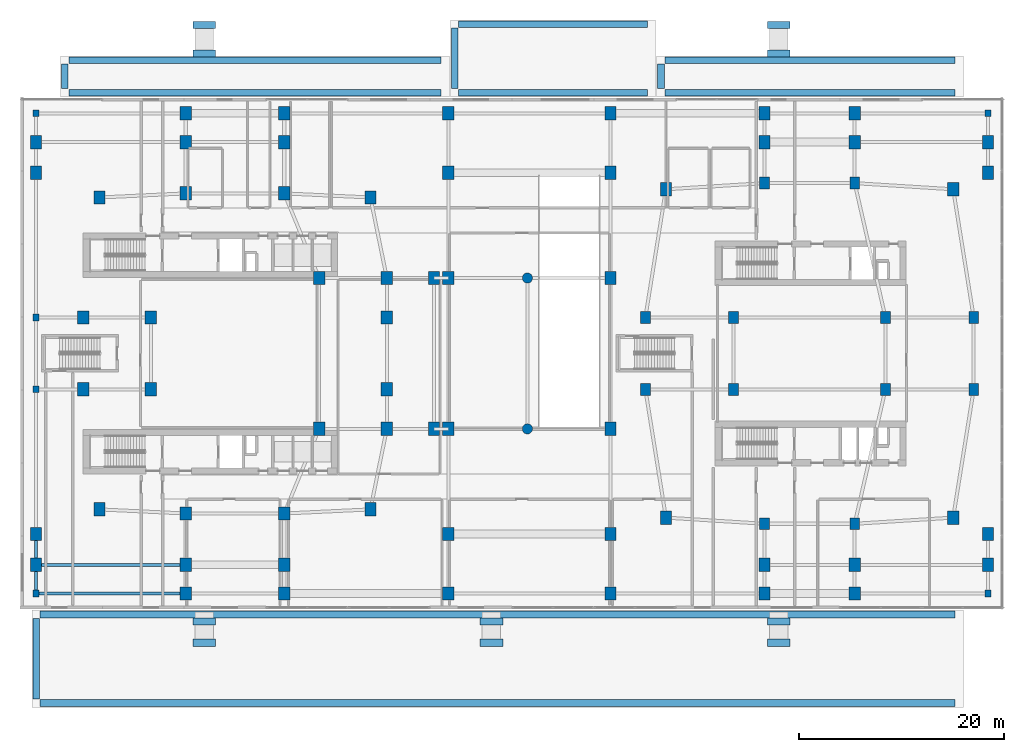
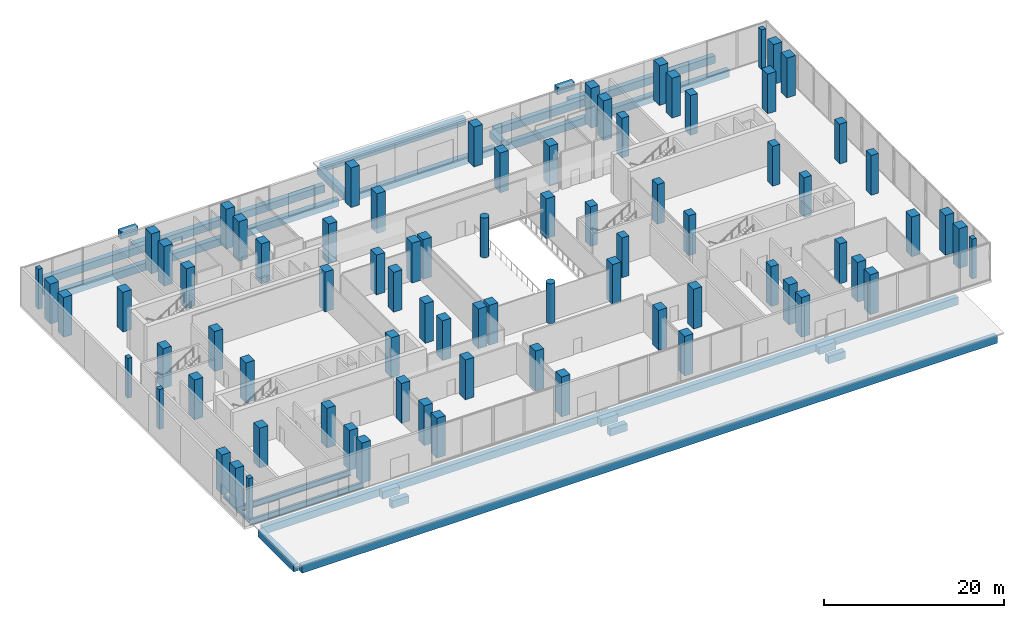
# One storey, part 1 of 24: 80 columns, 22 footings, 4 beams.
"""IFC4 building model written with IfcOpenShell, lengths in metres."""

from ifc_helpers import new_model, si_unit, derived_unit, direction, frame, origin, origin_2d, place, context, subcontext, project, spatial, polyline, rectangle, circle, i_section, outline, extrude, material, material_profile, profile_set, type_object, element, save


model = new_model("IFC4")

# Units and contexts
model_context = context("Model", 3, precision=1e-05, world=origin(), true_north=direction((0.0, 1.0)))
body_context = subcontext(model_context, "Body", "Model", "MODEL_VIEW")
ifc_project = project(units=[si_unit("LENGTHUNIT", "METRE"), si_unit("AREAUNIT", "SQUARE_METRE"), si_unit("VOLUMEUNIT", "CUBIC_METRE"), si_unit("PLANEANGLEUNIT", "RADIAN"), si_unit("MASSUNIT", "GRAM", prefix="KILO"), derived_unit("THERMALTRANSMITTANCEUNIT", [(si_unit("POWERUNIT", "WATT"), 1), (si_unit("LENGTHUNIT", "METRE"), -2), (si_unit("THERMODYNAMICTEMPERATUREUNIT", "KELVIN"), -1)])], contexts=[model_context])

# Site, building, storey
site_placement = place(None, origin())
site = spatial("IfcSite", under=ifc_project, at=site_placement, CompositionType="ELEMENT")
building_placement = place(site_placement, origin())
building = spatial("IfcBuilding", under=site, at=building_placement, Name="Kivonza Crest Hotel", CompositionType="ELEMENT")
storey_placement = place(building_placement, origin())
storey = spatial("IfcBuildingStorey", under=building, at=storey_placement, Name="L00", CompositionType="ELEMENT", Elevation=0.0)

# Footings
ifc_material_1 = material(Name="Concrete C40/50", Category="concrete")
footing_type = type_object("IfcFootingType", Name="FT-PAD-1200", PredefinedType="PAD_FOOTING", material=ifc_material_1)
footing_1_placement = place(storey_placement, frame((0.0, 0.0, -1.179931640625)))
element("IfcFooting", 1, at=footing_1_placement, inside=storey, type_object=footing_type, Name="Car park ramp and loading exterior driveway apron South kerb footing", PredefinedType="PAD_FOOTING", context=body_context, shape_type="SweptSolid", body=[
    extrude(outline(polyline([(42.800048828125, 50.10009765625), (61.199951171875, 50.10009765625), (61.199951171875, 50.75), (42.800048828125, 50.75), (42.800048828125, 50.10009765625)])), origin(), (0.0, 0.0, 1.0), 1.0),
])
footing_2_placement = place(storey_placement, frame((0.0, 0.0, -1.179931640625)))
element("IfcFooting", 2, at=footing_2_placement, inside=storey, type_object=footing_type, Name="Car park ramp and loading exterior driveway apron North kerb footing", PredefinedType="PAD_FOOTING", context=body_context, shape_type="SweptSolid", body=[
    extrude(outline(polyline([(42.800048828125, 56.75), (61.199951171875, 56.75), (61.199951171875, 57.39990234375), (42.800048828125, 57.39990234375), (42.800048828125, 56.75)])), origin(), (0.0, 0.0, 1.0), 1.0),
])
footing_3_placement = place(storey_placement, frame((0.0, 0.0, -1.179931640625)))
element("IfcFooting", 3, at=footing_3_placement, inside=storey, type_object=footing_type, Name="Car park ramp and loading exterior driveway apron West kerb footing", PredefinedType="PAD_FOOTING", context=body_context, shape_type="SweptSolid", body=[
    extrude(outline(polyline([(42.10009765625, 50.800048828125), (42.75, 50.800048828125), (42.75, 56.699951171875), (42.10009765625, 56.699951171875), (42.10009765625, 50.800048828125)])), origin(), (0.0, 0.0, 1.0), 1.0),
])
footing_4_placement = place(storey_placement, frame((0.0, 0.0, -1.179931640625)))
element("IfcFooting", 4, at=footing_4_placement, inside=storey, type_object=footing_type, Name="South street arrival forecourt and drop-off paving South kerb footing", PredefinedType="PAD_FOOTING", context=body_context, shape_type="SweptSolid", body=[
    extrude(outline(polyline([(2.0, -9.39990234375), (91.199951171875, -9.39990234375), (91.199951171875, -8.75), (2.0, -8.75), (2.0, -9.39990234375)])), origin(), (0.0, 0.0, 1.0), 1.0),
])
footing_5_placement = place(storey_placement, frame((0.0, 0.0, -1.179931640625)))
element("IfcFooting", 5, at=footing_5_placement, inside=storey, type_object=footing_type, Name="South street arrival forecourt and drop-off paving North kerb footing", PredefinedType="PAD_FOOTING", context=body_context, shape_type="SweptSolid", body=[
    extrude(outline(polyline([(2.0, -0.77001953125), (91.199951171875, -0.77001953125), (91.199951171875, -0.1201171875), (2.0, -0.1201171875), (2.0, -0.77001953125)])), origin(), (0.0, 0.0, 1.0), 1.0),
])
footing_6_placement = place(storey_placement, frame((0.0, 0.0, -1.179931640625)))
element("IfcFooting", 6, at=footing_6_placement, inside=storey, type_object=footing_type, Name="South street arrival forecourt and drop-off paving West kerb footing", PredefinedType="PAD_FOOTING", context=body_context, shape_type="SweptSolid", body=[
    extrude(outline(polyline([(1.300048828125, -8.699951171875), (1.949951171875, -8.699951171875), (1.949951171875, -0.820068359375), (1.300048828125, -0.820068359375), (1.300048828125, -8.699951171875)])), origin(), (0.0, 0.0, 1.0), 1.0),
])
footing_7_placement = place(storey_placement, frame((0.0, 0.0, -1.179931640625)))
element("IfcFooting", 7, at=footing_7_placement, inside=storey, type_object=footing_type, Name="North fire-appliance and exit discharge walkway South kerb footing", PredefinedType="PAD_FOOTING", context=body_context, shape_type="SweptSolid", body=[
    extrude(outline(polyline([(4.800048828125, 50.10009765625), (41.10009765625, 50.10009765625), (41.10009765625, 50.75), (4.800048828125, 50.75), (4.800048828125, 50.10009765625)])), origin(), (0.0, 0.0, 1.0), 1.0),
])
footing_8_placement = place(storey_placement, frame((0.0, 0.0, -1.179931640625)))
element("IfcFooting", 8, at=footing_8_placement, inside=storey, type_object=footing_type, Name="North fire-appliance and exit discharge walkway North kerb footing", PredefinedType="PAD_FOOTING", context=body_context, shape_type="SweptSolid", body=[
    extrude(outline(polyline([(4.800048828125, 53.25), (41.10009765625, 53.25), (41.10009765625, 53.89990234375), (4.800048828125, 53.89990234375), (4.800048828125, 53.25)])), origin(), (0.0, 0.0, 1.0), 1.0),
])
footing_9_placement = place(storey_placement, frame((0.0, 0.0, -1.179931640625)))
element("IfcFooting", 9, at=footing_9_placement, inside=storey, type_object=footing_type, Name="North fire-appliance and exit discharge walkway West kerb footing", PredefinedType="PAD_FOOTING", context=body_context, shape_type="SweptSolid", body=[
    extrude(outline(polyline([(4.10009765625, 50.800048828125), (4.75, 50.800048828125), (4.75, 53.199951171875), (4.10009765625, 53.199951171875), (4.10009765625, 50.800048828125)])), origin(), (0.0, 0.0, 1.0), 1.0),
])
footing_10_placement = place(storey_placement, frame((0.0, 0.0, -1.179931640625)))
element("IfcFooting", 10, at=footing_10_placement, inside=storey, type_object=footing_type, Name="North-East exit discharge walkway South kerb footing", PredefinedType="PAD_FOOTING", context=body_context, shape_type="SweptSolid", body=[
    extrude(outline(polyline([(62.89990234375, 50.10009765625), (91.199951171875, 50.10009765625), (91.199951171875, 50.75), (62.89990234375, 50.75), (62.89990234375, 50.10009765625)])), origin(), (0.0, 0.0, 1.0), 1.0),
])
footing_11_placement = place(storey_placement, frame((0.0, 0.0, -1.179931640625)))
element("IfcFooting", 11, at=footing_11_placement, inside=storey, type_object=footing_type, Name="North-East exit discharge walkway North kerb footing", PredefinedType="PAD_FOOTING", context=body_context, shape_type="SweptSolid", body=[
    extrude(outline(polyline([(62.89990234375, 53.25), (91.199951171875, 53.25), (91.199951171875, 53.89990234375), (62.89990234375, 53.89990234375), (62.89990234375, 53.25)])), origin(), (0.0, 0.0, 1.0), 1.0),
])
footing_12_placement = place(storey_placement, frame((0.0, 0.0, -1.179931640625)))
element("IfcFooting", 12, at=footing_12_placement, inside=storey, type_object=footing_type, Name="North-East exit discharge walkway West kerb footing", PredefinedType="PAD_FOOTING", context=body_context, shape_type="SweptSolid", body=[
    extrude(outline(polyline([(62.199951171875, 50.800048828125), (62.85009765625, 50.800048828125), (62.85009765625, 53.199951171875), (62.199951171875, 53.199951171875), (62.199951171875, 50.800048828125)])), origin(), (0.0, 0.0, 1.0), 1.0),
])
footing_13_placement = place(storey_placement, frame((0.0, 0.0, -1.179931640625)))
element("IfcFooting", 13, at=footing_13_placement, inside=storey, type_object=footing_type, Name="Hotel South forecourt accessible arrival ramp lower grade sleeper footing", PredefinedType="PAD_FOOTING", context=body_context, shape_type="SweptSolid", body=[
    extrude(outline(polyline([(16.89990234375, -3.550048828125), (19.10009765625, -3.550048828125), (19.10009765625, -2.85009765625), (16.89990234375, -2.85009765625), (16.89990234375, -3.550048828125)])), origin(), (0.0, 0.0, 1.0), 1.0),
])
footing_14_placement = place(storey_placement, frame((0.0, 0.0, -1.179931640625)))
element("IfcFooting", 14, at=footing_14_placement, inside=storey, type_object=footing_type, Name="Hotel South forecourt accessible arrival ramp upper threshold sleeper footing", PredefinedType="PAD_FOOTING", context=body_context, shape_type="SweptSolid", body=[
    extrude(outline(polyline([(16.89990234375, -1.469970703125), (19.10009765625, -1.469970703125), (19.10009765625, -0.77001953125), (16.89990234375, -0.77001953125), (16.89990234375, -1.469970703125)])), origin(), (0.0, 0.0, 1.0), 1.0),
])
footing_15_placement = place(storey_placement, frame((0.0, 0.0, -1.179931640625)))
element("IfcFooting", 15, at=footing_15_placement, inside=storey, type_object=footing_type, Name="Residential South forecourt accessible arrival ramp lower grade sleeper footing", PredefinedType="PAD_FOOTING", context=body_context, shape_type="SweptSolid", body=[
    extrude(outline(polyline([(72.89990234375, -3.550048828125), (75.10009765625, -3.550048828125), (75.10009765625, -2.85009765625), (72.89990234375, -2.85009765625), (72.89990234375, -3.550048828125)])), origin(), (0.0, 0.0, 1.0), 1.0),
])
footing_16_placement = place(storey_placement, frame((0.0, 0.0, -1.179931640625)))
element("IfcFooting", 16, at=footing_16_placement, inside=storey, type_object=footing_type, Name="Residential South forecourt accessible arrival ramp upper threshold sleeper footing", PredefinedType="PAD_FOOTING", context=body_context, shape_type="SweptSolid", body=[
    extrude(outline(polyline([(72.89990234375, -1.469970703125), (75.10009765625, -1.469970703125), (75.10009765625, -0.77001953125), (72.89990234375, -0.77001953125), (72.89990234375, -1.469970703125)])), origin(), (0.0, 0.0, 1.0), 1.0),
])
footing_17_placement = place(storey_placement, frame((0.0, 0.0, -1.179931640625)))
element("IfcFooting", 17, at=footing_17_placement, inside=storey, type_object=footing_type, Name="Podium retail concourse accessible arrival ramp lower grade sleeper footing", PredefinedType="PAD_FOOTING", context=body_context, shape_type="SweptSolid", body=[
    extrude(outline(polyline([(44.89990234375, -3.550048828125), (47.10009765625, -3.550048828125), (47.10009765625, -2.85009765625), (44.89990234375, -2.85009765625), (44.89990234375, -3.550048828125)])), origin(), (0.0, 0.0, 1.0), 1.0),
])
footing_18_placement = place(storey_placement, frame((0.0, 0.0, -1.179931640625)))
element("IfcFooting", 18, at=footing_18_placement, inside=storey, type_object=footing_type, Name="Podium retail concourse accessible arrival ramp upper threshold sleeper footing", PredefinedType="PAD_FOOTING", context=body_context, shape_type="SweptSolid", body=[
    extrude(outline(polyline([(44.89990234375, -1.469970703125), (47.10009765625, -1.469970703125), (47.10009765625, -0.77001953125), (44.89990234375, -0.77001953125), (44.89990234375, -1.469970703125)])), origin(), (0.0, 0.0, 1.0), 1.0),
])
footing_19_placement = place(storey_placement, frame((0.0, 0.0, -1.179931640625)))
element("IfcFooting", 19, at=footing_19_placement, inside=storey, type_object=footing_type, Name="North-West fire-appliance walkway accessible arrival ramp lower grade sleeper footing", PredefinedType="PAD_FOOTING", context=body_context, shape_type="SweptSolid", body=[
    extrude(outline(polyline([(16.89990234375, 56.64990234375), (19.10009765625, 56.64990234375), (19.10009765625, 57.35009765625), (16.89990234375, 57.35009765625), (16.89990234375, 56.64990234375)])), origin(), (0.0, 0.0, 1.0), 1.0),
])
footing_20_placement = place(storey_placement, frame((0.0, 0.0, -1.179931640625)))
element("IfcFooting", 20, at=footing_20_placement, inside=storey, type_object=footing_type, Name="North-West fire-appliance walkway accessible arrival ramp upper threshold sleeper footing", PredefinedType="PAD_FOOTING", context=body_context, shape_type="SweptSolid", body=[
    extrude(outline(polyline([(16.89990234375, 53.89990234375), (19.10009765625, 53.89990234375), (19.10009765625, 54.60009765625), (16.89990234375, 54.60009765625), (16.89990234375, 53.89990234375)])), origin(), (0.0, 0.0, 1.0), 1.0),
])
footing_21_placement = place(storey_placement, frame((0.0, 0.0, -1.179931640625)))
element("IfcFooting", 21, at=footing_21_placement, inside=storey, type_object=footing_type, Name="North-East podium walkway accessible arrival ramp lower grade sleeper footing", PredefinedType="PAD_FOOTING", context=body_context, shape_type="SweptSolid", body=[
    extrude(outline(polyline([(72.89990234375, 56.64990234375), (75.10009765625, 56.64990234375), (75.10009765625, 57.35009765625), (72.89990234375, 57.35009765625), (72.89990234375, 56.64990234375)])), origin(), (0.0, 0.0, 1.0), 1.0),
])
footing_22_placement = place(storey_placement, frame((0.0, 0.0, -1.179931640625)))
element("IfcFooting", 22, at=footing_22_placement, inside=storey, type_object=footing_type, Name="North-East podium walkway accessible arrival ramp upper threshold sleeper footing", PredefinedType="PAD_FOOTING", context=body_context, shape_type="SweptSolid", body=[
    extrude(outline(polyline([(72.89990234375, 53.89990234375), (75.10009765625, 53.89990234375), (75.10009765625, 54.60009765625), (72.89990234375, 54.60009765625), (72.89990234375, 53.89990234375)])), origin(), (0.0, 0.0, 1.0), 1.0),
])

# Columns
ifc_material_2 = material(Name="Concrete C60/75", Category="concrete")
ifc_material_profile_1 = material_profile(ifc_material_2, rectangle(XDim=0.550048828125, YDim=0.64990234375, at=origin_2d()), Name="RC 650x550")
ifc_profile_set_1 = profile_set([ifc_material_profile_1], Name="Concrete C60/75")
column_type_1 = type_object("IfcColumnType", Name="CL-PIL-650x550", PredefinedType="PILASTER", material=ifc_profile_set_1)
for number, where, z_axis, x_axis, name in (
    (23, (1.60009765625, 21.5, 0.0), (0.0, 0.0, 1.0), (1.0, 0.0, 0.0), "Tower T1 L00 column Z1W1"),
    (24, (1.60009765625, 28.5, 0.0), (0.0, 0.0, 1.0), (1.0, 0.0, 0.0), "Tower T1 L00 column Z1W2"),
    (25, (1.60009765625, 1.60009765625, 0.0), (0.0, 0.0, 1.0), (1.0, 0.0, 0.0), "Podium L00 column PS01"),
    (26, (1.60009765625, 48.39990234375, 0.0), (0.0, 0.0, 1.0), (1.0, 0.0, 0.0), "Podium L00 column PN01"),
    (27, (94.39990234375, 1.60009765625, 0.0), (0.0, 0.0, 1.0), (1.0, 0.0, 0.0), "Podium L00 column PS08"),
    (28, (94.39990234375, 48.39990234375, 0.0), (0.0, 0.0, 1.0), (1.0, 0.0, 0.0), "Podium L00 column PN08"),
):
    element("IfcColumn", number, at=place(storey_placement, frame(where, z_axis=z_axis, x_axis=x_axis)), inside=storey, type_object=column_type_1, Name=name, PredefinedType="PILASTER", context=body_context, shape_type="SweptSolid", body=[
        extrude(rectangle(XDim=0.550048828125, YDim=0.64990234375, at=origin_2d()), origin(), (0.0, 0.0, 1.0), 5.39990234375),
    ])
ifc_material_profile_2 = material_profile(ifc_material_2, rectangle(XDim=0.949951171875, YDim=1.14990234375, at=origin_2d()), Name="RC 1150x950")
ifc_profile_set_2 = profile_set([ifc_material_profile_2], Name="Concrete C60/75")
column_type_2 = type_object("IfcColumnType", Name="CL-RC-1150x950", PredefinedType="COLUMN", material=ifc_profile_set_2)
for number, where, z_axis, x_axis, name in (
    (29, (72.60009765625, 8.39990234375, 0.0), (0.0, 0.0, 1.0), (1.0, 0.0, 0.0), "Companion Tower T2 L00 column S1"),
    (30, (81.39990234375, 8.39990234375, 0.0), (0.0, 0.0, 1.0), (1.0, 0.0, 0.0), "Companion Tower T2 L00 column S2"),
    (31, (72.60009765625, 41.60009765625, 0.0), (0.0, 0.0, 1.0), (1.0, 0.0, 0.0), "Companion Tower T2 L00 column N1"),
    (32, (81.39990234375, 41.60009765625, 0.0), (0.0, 0.0, 1.0), (1.0, 0.0, 0.0), "Companion Tower T2 L00 column N2"),
    (33, (61.0, 21.5, 0.0), (0.0, 0.0, 1.0), (1.0, 0.0, 0.0), "Companion Tower T2 L00 column W1"),
    (34, (61.0, 28.5, 0.0), (0.0, 0.0, 1.0), (1.0, 0.0, 0.0), "Companion Tower T2 L00 column W2"),
    (35, (93.0, 21.5, 0.0), (0.0, 0.0, 1.0), (1.0, 0.0, 0.0), "Companion Tower T2 L00 column E1"),
    (36, (93.0, 28.5, 0.0), (0.0, 0.0, 1.0), (1.0, 0.0, 0.0), "Companion Tower T2 L00 column E2"),
    (37, (69.60009765625, 21.5, 0.0), (0.0, 0.0, 1.0), (1.0, 0.0, 0.0), "Companion Tower T2 L00 column WL1"),
    (38, (69.60009765625, 28.5, 0.0), (0.0, 0.0, 1.0), (1.0, 0.0, 0.0), "Companion Tower T2 L00 column WL2"),
    (39, (84.39990234375, 21.5, 0.0), (0.0, 0.0, 1.0), (1.0, 0.0, 0.0), "Companion Tower T2 L00 column WR1"),
    (40, (84.39990234375, 28.5, 0.0), (0.0, 0.0, 1.0), (1.0, 0.0, 0.0), "Companion Tower T2 L00 column WR2"),
):
    element("IfcColumn", number, at=place(storey_placement, frame(where, z_axis=z_axis, x_axis=x_axis)), inside=storey, type_object=column_type_2, Name=name, PredefinedType="COLUMN", context=body_context, shape_type="SweptSolid", body=[
        extrude(rectangle(XDim=0.949951171875, YDim=1.14990234375, at=origin_2d()), origin(), (0.0, 0.0, 1.0), 5.39990234375),
    ])
ifc_material_profile_3 = material_profile(ifc_material_2, rectangle(XDim=1.10009765625, YDim=1.300048828125, at=origin_2d()), Name="RC 1300x1100")
ifc_profile_set_3 = profile_set([ifc_material_profile_3], Name="Concrete C60/75")
column_type_3 = type_object("IfcColumnType", Name="CL-RC-1300x1100", PredefinedType="COLUMN", material=ifc_profile_set_3)
for number, where, z_axis, x_axis, name in (
    (41, (16.199951171875, 9.39990234375, 0.0), (0.0, 0.0, 1.0), (1.0, 0.0, 0.0), "Tower T1 L00 column S1"),
    (42, (25.800048828125, 9.39990234375, 0.0), (0.0, 0.0, 1.0), (1.0, 0.0, 0.0), "Tower T1 L00 column S2"),
    (43, (16.199951171875, 40.60009765625, 0.0), (0.0, 0.0, 1.0), (1.0, 0.0, 0.0), "Tower T1 L00 column N1"),
    (44, (25.800048828125, 40.60009765625, 0.0), (0.0, 0.0, 1.0), (1.0, 0.0, 0.0), "Tower T1 L00 column N2"),
    (45, (6.199951171875, 21.5, 0.0), (0.0, 0.0, 1.0), (1.0, 0.0, 0.0), "Tower T1 L00 column W1"),
    (46, (6.199951171875, 28.5, 0.0), (0.0, 0.0, 1.0), (1.0, 0.0, 0.0), "Tower T1 L00 column W2"),
    (47, (7.800048828125, 9.800048828125, 0.0), (0.0, 0.0, 1.0), (1.0, 0.0, 0.0), "Tower T1 L00 column SW"),
    (48, (34.199951171875, 9.800048828125, 0.0), (0.0, 0.0, 1.0), (1.0, 0.0, 0.0), "Tower T1 L00 column SE"),
    (49, (34.199951171875, 40.199951171875, 0.0), (0.0, 0.0, 1.0), (1.0, 0.0, 0.0), "Tower T1 L00 column NE"),
    (50, (7.800048828125, 40.199951171875, 0.0), (0.0, 0.0, 1.0), (1.0, 0.0, 0.0), "Tower T1 L00 column NW"),
    (51, (35.800048828125, 21.5, 0.0), (0.0, 0.0, 1.0), (1.0, 0.0, 0.0), "Tower T1 L00 column E1"),
    (52, (35.800048828125, 28.5, 0.0), (0.0, 0.0, 1.0), (1.0, 0.0, 0.0), "Tower T1 L00 column E2"),
    (53, (35.800048828125, 17.64990234375, 0.0), (0.0, 0.0, 1.0), (1.0, 0.0, 0.0), "Tower T1 L00 column PSE"),
    (54, (35.800048828125, 32.35009765625, 0.0), (0.0, 0.0, 1.0), (1.0, 0.0, 0.0), "Tower T1 L00 column PNE"),
    (55, (12.800048828125, 21.5, 0.0), (0.0, 0.0, 1.0), (1.0, 0.0, 0.0), "Tower T1 L00 column WL1"),
    (56, (12.800048828125, 28.5, 0.0), (0.0, 0.0, 1.0), (1.0, 0.0, 0.0), "Tower T1 L00 column WL2"),
    (57, (29.199951171875, 17.64990234375, 0.0), (0.0, 0.0, 1.0), (1.0, 0.0, 0.0), "Tower T1 L00 column TSE"),
    (58, (29.199951171875, 32.35009765625, 0.0), (0.0, 0.0, 1.0), (1.0, 0.0, 0.0), "Tower T1 L00 column TNE"),
    (59, (40.39990234375, 17.64990234375, 0.0), (0.0, 0.0, 1.0), (1.0, 0.0, 0.0), "Tower T1 L00 column Z1E1"),
    (60, (40.39990234375, 32.35009765625, 0.0), (0.0, 0.0, 1.0), (1.0, 0.0, 0.0), "Tower T1 L00 column Z1E2"),
    (61, (63.0, 9.0, 0.0), (0.0, 0.0, 1.0), (1.0, 0.0, 0.0), "Companion Tower T2 L00 column SW"),
    (62, (91.0, 9.0, 0.0), (0.0, 0.0, 1.0), (1.0, 0.0, 0.0), "Companion Tower T2 L00 column SE"),
    (63, (91.0, 41.0, 0.0), (0.0, 0.0, 1.0), (1.0, 0.0, 0.0), "Companion Tower T2 L00 column NE"),
    (64, (63.0, 41.0, 0.0), (0.0, 0.0, 1.0), (1.0, 0.0, 0.0), "Companion Tower T2 L00 column NW"),
    (65, (41.800048828125, 17.64990234375, 0.0), (0.0, 0.0, 1.0), (1.0, 0.0, 0.0), "Podium L00 column LK1S"),
    (66, (41.800048828125, 32.35009765625, 0.0), (0.0, 0.0, 1.0), (1.0, 0.0, 0.0), "Podium L00 column LK1N"),
    (67, (57.60009765625, 17.64990234375, 0.0), (0.0, 0.0, 1.0), (1.0, 0.0, 0.0), "Podium L00 column LK3S"),
    (68, (57.60009765625, 32.35009765625, 0.0), (0.0, 0.0, 1.0), (1.0, 0.0, 0.0), "Podium L00 column LK3N"),
    (69, (16.199951171875, 1.60009765625, 0.0), (0.0, 0.0, 1.0), (1.0, 0.0, 0.0), "Podium L00 column PS02"),
    (70, (16.199951171875, 48.39990234375, 0.0), (0.0, 0.0, 1.0), (1.0, 0.0, 0.0), "Podium L00 column PN02"),
    (71, (25.800048828125, 1.60009765625, 0.0), (0.0, 0.0, 1.0), (1.0, 0.0, 0.0), "Podium L00 column PS03"),
    (72, (25.800048828125, 48.39990234375, 0.0), (0.0, 0.0, 1.0), (1.0, 0.0, 0.0), "Podium L00 column PN03"),
    (73, (41.800048828125, 1.60009765625, 0.0), (0.0, 0.0, 1.0), (1.0, 0.0, 0.0), "Podium L00 column PS04"),
    (74, (41.800048828125, 48.39990234375, 0.0), (0.0, 0.0, 1.0), (1.0, 0.0, 0.0), "Podium L00 column PN04"),
    (75, (57.60009765625, 1.60009765625, 0.0), (0.0, 0.0, 1.0), (1.0, 0.0, 0.0), "Podium L00 column PS05"),
    (76, (57.60009765625, 48.39990234375, 0.0), (0.0, 0.0, 1.0), (1.0, 0.0, 0.0), "Podium L00 column PN05"),
    (77, (72.60009765625, 1.60009765625, 0.0), (0.0, 0.0, 1.0), (1.0, 0.0, 0.0), "Podium L00 column PS06"),
    (78, (72.60009765625, 48.39990234375, 0.0), (0.0, 0.0, 1.0), (1.0, 0.0, 0.0), "Podium L00 column PN06"),
    (79, (81.39990234375, 1.60009765625, 0.0), (0.0, 0.0, 1.0), (1.0, 0.0, 0.0), "Podium L00 column PS07"),
    (80, (81.39990234375, 48.39990234375, 0.0), (0.0, 0.0, 1.0), (1.0, 0.0, 0.0), "Podium L00 column PN07"),
    (81, (1.60009765625, 4.39990234375, 0.0), (0.0, 0.0, 1.0), (1.0, 0.0, 0.0), "Podium L00 column PS21"),
    (82, (1.60009765625, 45.60009765625, 0.0), (0.0, 0.0, 1.0), (1.0, 0.0, 0.0), "Podium L00 column PN21"),
    (83, (16.199951171875, 4.39990234375, 0.0), (0.0, 0.0, 1.0), (1.0, 0.0, 0.0), "Podium L00 column PS22"),
    (84, (16.199951171875, 45.60009765625, 0.0), (0.0, 0.0, 1.0), (1.0, 0.0, 0.0), "Podium L00 column PN22"),
    (85, (25.800048828125, 4.39990234375, 0.0), (0.0, 0.0, 1.0), (1.0, 0.0, 0.0), "Podium L00 column PS23"),
    (86, (25.800048828125, 45.60009765625, 0.0), (0.0, 0.0, 1.0), (1.0, 0.0, 0.0), "Podium L00 column PN23"),
    (87, (72.60009765625, 4.39990234375, 0.0), (0.0, 0.0, 1.0), (1.0, 0.0, 0.0), "Podium L00 column PS24"),
    (88, (72.60009765625, 45.60009765625, 0.0), (0.0, 0.0, 1.0), (1.0, 0.0, 0.0), "Podium L00 column PN24"),
    (89, (81.39990234375, 4.39990234375, 0.0), (0.0, 0.0, 1.0), (1.0, 0.0, 0.0), "Podium L00 column PS25"),
    (90, (81.39990234375, 45.60009765625, 0.0), (0.0, 0.0, 1.0), (1.0, 0.0, 0.0), "Podium L00 column PN25"),
    (91, (94.39990234375, 4.39990234375, 0.0), (0.0, 0.0, 1.0), (1.0, 0.0, 0.0), "Podium L00 column PS26"),
    (92, (94.39990234375, 45.60009765625, 0.0), (0.0, 0.0, 1.0), (1.0, 0.0, 0.0), "Podium L00 column PN26"),
    (93, (1.60009765625, 7.39990234375, 0.0), (0.0, 0.0, 1.0), (1.0, 0.0, 0.0), "Podium L00 column PS41"),
    (94, (1.60009765625, 42.60009765625, 0.0), (0.0, 0.0, 1.0), (1.0, 0.0, 0.0), "Podium L00 column PN41"),
    (95, (41.800048828125, 7.39990234375, 0.0), (0.0, 0.0, 1.0), (1.0, 0.0, 0.0), "Podium L00 column PS42"),
    (96, (41.800048828125, 42.60009765625, 0.0), (0.0, 0.0, 1.0), (1.0, 0.0, 0.0), "Podium L00 column PN42"),
    (97, (57.60009765625, 7.39990234375, 0.0), (0.0, 0.0, 1.0), (1.0, 0.0, 0.0), "Podium L00 column PS43"),
    (98, (57.60009765625, 42.60009765625, 0.0), (0.0, 0.0, 1.0), (1.0, 0.0, 0.0), "Podium L00 column PN43"),
    (99, (94.39990234375, 7.39990234375, 0.0), (0.0, 0.0, 1.0), (1.0, 0.0, 0.0), "Podium L00 column PS44"),
    (100, (94.39990234375, 42.60009765625, 0.0), (0.0, 0.0, 1.0), (1.0, 0.0, 0.0), "Podium L00 column PN44"),
):
    element("IfcColumn", number, at=place(storey_placement, frame(where, z_axis=z_axis, x_axis=x_axis)), inside=storey, type_object=column_type_3, Name=name, PredefinedType="COLUMN", context=body_context, shape_type="SweptSolid", body=[
        extrude(rectangle(XDim=1.10009765625, YDim=1.300048828125, at=origin_2d()), origin(), (0.0, 0.0, 1.0), 5.39990234375),
    ])
ifc_material_profile_4 = material_profile(ifc_material_2, circle(Radius=0.5, at=origin_2d()), Name="RC D1000")
ifc_profile_set_4 = profile_set([ifc_material_profile_4], Name="Concrete C60/75")
column_type_4 = type_object("IfcColumnType", Name="CL-RC-D1000", PredefinedType="COLUMN", material=ifc_profile_set_4)
for number, where, z_axis, x_axis, name in (
    (101, (49.5, 17.64990234375, 0.0), (0.0, 0.0, 1.0), (1.0, 0.0, 0.0), "Podium L00 column LK2S"),
    (102, (49.5, 32.35009765625, 0.0), (0.0, 0.0, 1.0), (1.0, 0.0, 0.0), "Podium L00 column LK2N"),
):
    element("IfcColumn", number, at=place(storey_placement, frame(where, z_axis=z_axis, x_axis=x_axis)), inside=storey, type_object=column_type_4, Name=name, PredefinedType="COLUMN", context=body_context, shape_type="SweptSolid", body=[
        extrude(circle(Radius=0.5, at=origin_2d()), origin(), (0.0, 0.0, 1.0), 5.39990234375),
    ])

# Beams
ifc_material_3 = material(Name="Steel S355", Category="steel")
ifc_material_profile_5 = material_profile(ifc_material_3, i_section(OverallWidth=0.300048828125, OverallDepth=0.5, WebThickness=0.014404296875, FlangeThickness=0.028076171875, FilletRadius=0.027099609375, at=origin_2d()), Name="HEB 500")
ifc_profile_set_5 = profile_set([ifc_material_profile_5], Name="Steel S355")
beam_type_1 = type_object("IfcBeamType", Name="BM-HEB500", PredefinedType="BEAM", material=ifc_profile_set_5)
beam_1_placement = place(storey_placement, frame((1.60009765625, 1.60009765625, -0.60009765625), z_axis=(0.0, 1.0, 0.0), x_axis=(-1.0, 0.0, 0.0)))
element("IfcBeam", 103, at=beam_1_placement, inside=storey, type_object=beam_type_1, Name="L00 podium girder Y 48", PredefinedType="BEAM", context=body_context, shape_type="SweptSolid", body=[
    extrude(i_section(OverallWidth=0.300048828125, OverallDepth=0.5, WebThickness=0.014404296875, FlangeThickness=0.028076171875, FilletRadius=0.027099609375, at=origin_2d()), origin(), (0.0, 0.0, 1.0), 2.7998046875),
])
beam_2_placement = place(storey_placement, frame((1.60009765625, 4.39990234375, -0.60009765625), z_axis=(0.0, 1.0, 0.0), x_axis=(-1.0, 0.0, 0.0)))
element("IfcBeam", 104, at=beam_2_placement, inside=storey, type_object=beam_type_1, Name="L00 podium girder Y 49", PredefinedType="BEAM", context=body_context, shape_type="SweptSolid", body=[
    extrude(i_section(OverallWidth=0.300048828125, OverallDepth=0.5, WebThickness=0.014404296875, FlangeThickness=0.028076171875, FilletRadius=0.027099609375, at=origin_2d()), origin(), (0.0, 0.0, 1.0), 3.0),
])
ifc_material_profile_6 = material_profile(ifc_material_3, i_section(OverallWidth=0.300048828125, OverallDepth=0.800048828125, WebThickness=0.017578125, FlangeThickness=0.032958984375, FilletRadius=0.030029296875, at=origin_2d()), Name="HEB 800")
ifc_profile_set_6 = profile_set([ifc_material_profile_6], Name="Steel S355")
beam_type_2 = type_object("IfcBeamType", Name="BM-HEB800", PredefinedType="BEAM", material=ifc_profile_set_6)
for number, where, z_axis, x_axis, name in (
    (105, (1.60009765625, 1.60009765625, -0.75), (1.0, 0.0, 0.0), (0.0, 1.0, 0.0), "L00 podium girder X 1"),
    (106, (1.60009765625, 4.39990234375, -0.75), (1.0, 0.0, 0.0), (0.0, 1.0, 0.0), "L00 podium girder X 8"),
):
    element("IfcBeam", number, at=place(storey_placement, frame(where, z_axis=z_axis, x_axis=x_axis)), inside=storey, type_object=beam_type_2, Name=name, PredefinedType="BEAM", context=body_context, shape_type="SweptSolid", body=[
        extrude(i_section(OverallWidth=0.300048828125, OverallDepth=0.800048828125, WebThickness=0.017578125, FlangeThickness=0.032958984375, FilletRadius=0.030029296875, at=origin_2d()), origin(), (0.0, 0.0, 1.0), 14.599853515625),
    ])

save(model, "model.ifc")
